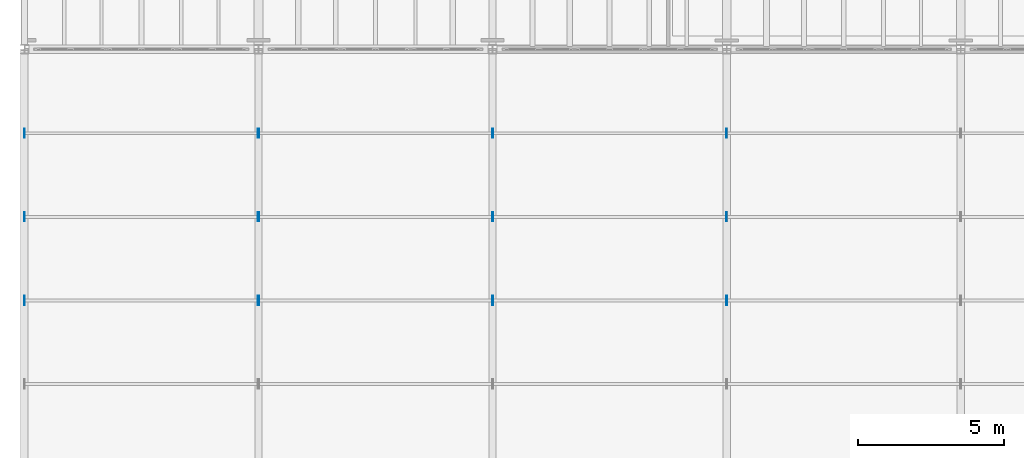
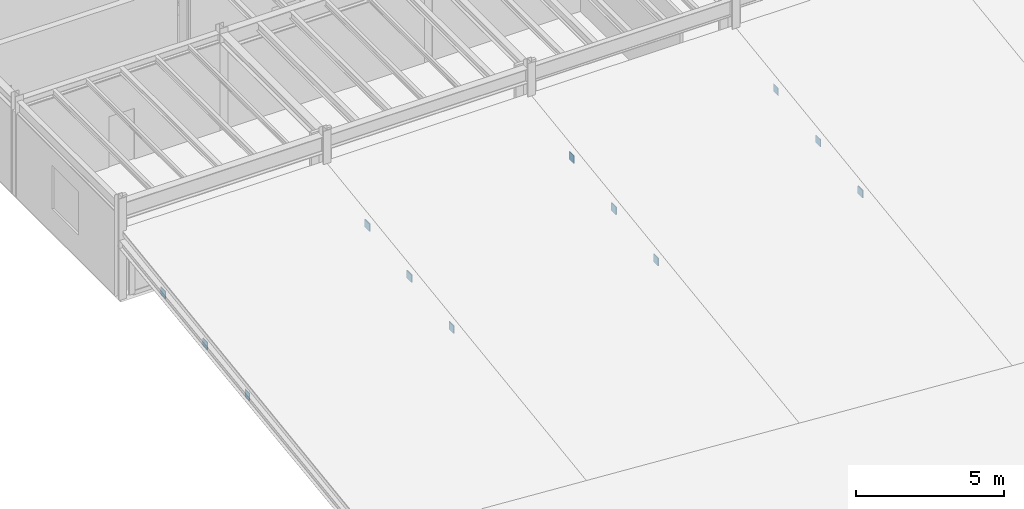
# One storey, part 59 of 77: 19 plates.
"""IFC4 building model written with IfcOpenShell, lengths in metres."""

from ifc_helpers import new_model, si_unit, direction, frame, origin, origin_2d, place, context, subcontext, project, spatial, rectangle, extrude, material, material_profile, profile_set, type_object, element, save


model = new_model("IFC4")

# Units and contexts
model_context = context("Model", 3, precision=1e-05, world=origin(), true_north=direction((0.0, 1.0)))
body_context = subcontext(model_context, "Body", "Model", "MODEL_VIEW")
ifc_project = project(units=[si_unit("LENGTHUNIT", "METRE"), si_unit("AREAUNIT", "SQUARE_METRE"), si_unit("VOLUMEUNIT", "CUBIC_METRE"), si_unit("PLANEANGLEUNIT", "RADIAN"), si_unit("MASSUNIT", "GRAM", prefix="KILO"), si_unit("THERMODYNAMICTEMPERATUREUNIT", "KELVIN"), si_unit("POWERUNIT", "WATT")], contexts=[model_context])

# Site, building, storey
site_placement = place(None, origin())
site = spatial("IfcSite", under=ifc_project, at=site_placement, CompositionType="ELEMENT")
building_placement = place(site_placement, origin())
building = spatial("IfcBuilding", under=site, at=building_placement, Name="Zhenchuan Central Fire Station", CompositionType="ELEMENT")
storey_placement = place(building_placement, frame((0.0, 0.0, 10.050048828125)))
storey = spatial("IfcBuildingStorey", under=building, at=storey_placement, Name="L03", CompositionType="ELEMENT", Elevation=10.050048828125)

# Plates
ifc_material = material(Name="Steel Q355B", Category="steel")
ifc_material_profile = material_profile(ifc_material, rectangle(XDim=0.320068359375, YDim=0.320068359375, at=origin_2d()), Name="PL 320x320x20")
ifc_profile_set = profile_set([ifc_material_profile], Name="Steel Q355B")
plate_type = type_object("IfcPlateType", Name="PL-CAP20", PredefinedType="SHEET", material=ifc_profile_set)
for number, where, z_axis, x_axis, name in (
    (1, (-0.0009765625, 33.9169921875, 1.161376953125), (1.0, 0.0, 0.0), (0.0, 1.0, 0.0), "Workshop Sawtooth Purlin 1.4 end cap plate A"),
    (2, (7.98095703125, 33.9169921875, 1.161376953125), (1.0, 0.0, 0.0), (0.0, 1.0, 0.0), "Workshop Sawtooth Purlin 1.4 end cap plate B"),
    (3, (-0.0009765625, 36.771484375, 1.544189453125), (1.0, 0.0, 0.0), (0.0, 1.0, 0.0), "Workshop Sawtooth Purlin 1.5 end cap plate A"),
    (4, (7.98095703125, 36.771484375, 1.544189453125), (1.0, 0.0, 0.0), (0.0, 1.0, 0.0), "Workshop Sawtooth Purlin 1.5 end cap plate B"),
    (5, (-0.0009765625, 39.625732421875, 1.927001953125), (1.0, 0.0, 0.0), (0.0, 1.0, 0.0), "Workshop Sawtooth Purlin 1.6 end cap plate A"),
    (6, (7.98095703125, 39.625732421875, 1.927001953125), (1.0, 0.0, 0.0), (0.0, 1.0, 0.0), "Workshop Sawtooth Purlin 1.6 end cap plate B"),
    (7, (7.9990234375, 33.9169921875, 1.161376953125), (1.0, 0.0, 0.0), (0.0, 1.0, 0.0), "Workshop Sawtooth Purlin 2.4 end cap plate A"),
    (8, (15.98095703125, 33.9169921875, 1.161376953125), (1.0, 0.0, 0.0), (0.0, 1.0, 0.0), "Workshop Sawtooth Purlin 2.4 end cap plate B"),
    (9, (7.9990234375, 36.771484375, 1.544189453125), (1.0, 0.0, 0.0), (0.0, 1.0, 0.0), "Workshop Sawtooth Purlin 2.5 end cap plate A"),
    (10, (15.98095703125, 36.771484375, 1.544189453125), (1.0, 0.0, 0.0), (0.0, 1.0, 0.0), "Workshop Sawtooth Purlin 2.5 end cap plate B"),
    (11, (7.9990234375, 39.625732421875, 1.927001953125), (1.0, 0.0, 0.0), (0.0, 1.0, 0.0), "Workshop Sawtooth Purlin 2.6 end cap plate A"),
    (12, (15.98095703125, 39.625732421875, 1.927001953125), (1.0, 0.0, 0.0), (0.0, 1.0, 0.0), "Workshop Sawtooth Purlin 2.6 end cap plate B"),
    (13, (15.9990234375, 33.9169921875, 1.161376953125), (1.0, 0.0, 0.0), (0.0, 1.0, 0.0), "Workshop Sawtooth Purlin 3.4 end cap plate A"),
    (14, (23.98095703125, 33.9169921875, 1.161376953125), (1.0, 0.0, 0.0), (0.0, 1.0, 0.0), "Workshop Sawtooth Purlin 3.4 end cap plate B"),
    (15, (15.9990234375, 36.771484375, 1.544189453125), (1.0, 0.0, 0.0), (0.0, 1.0, 0.0), "Workshop Sawtooth Purlin 3.5 end cap plate A"),
    (16, (23.98095703125, 36.771484375, 1.544189453125), (1.0, 0.0, 0.0), (0.0, 1.0, 0.0), "Workshop Sawtooth Purlin 3.5 end cap plate B"),
    (17, (15.9990234375, 39.625732421875, 1.927001953125), (1.0, 0.0, 0.0), (0.0, 1.0, 0.0), "Workshop Sawtooth Purlin 3.6 end cap plate A"),
    (18, (23.98095703125, 39.625732421875, 1.927001953125), (1.0, 0.0, 0.0), (0.0, 1.0, 0.0), "Workshop Sawtooth Purlin 3.6 end cap plate B"),
    (19, (23.9990234375, 33.9169921875, 1.161376953125), (1.0, 0.0, 0.0), (0.0, 1.0, 0.0), "Workshop Sawtooth Purlin 4.4 end cap plate A"),
):
    element("IfcPlate", number, at=place(storey_placement, frame(where, z_axis=z_axis, x_axis=x_axis)), inside=storey, type_object=plate_type, Name=name, PredefinedType="SHEET", context=body_context, shape_type="SweptSolid", body=[
        extrude(rectangle(XDim=0.320068359375, YDim=0.320068359375, at=origin_2d()), origin(), (0.0, 0.0, 1.0), 0.02001953125),
    ])

save(model, "model.ifc")
